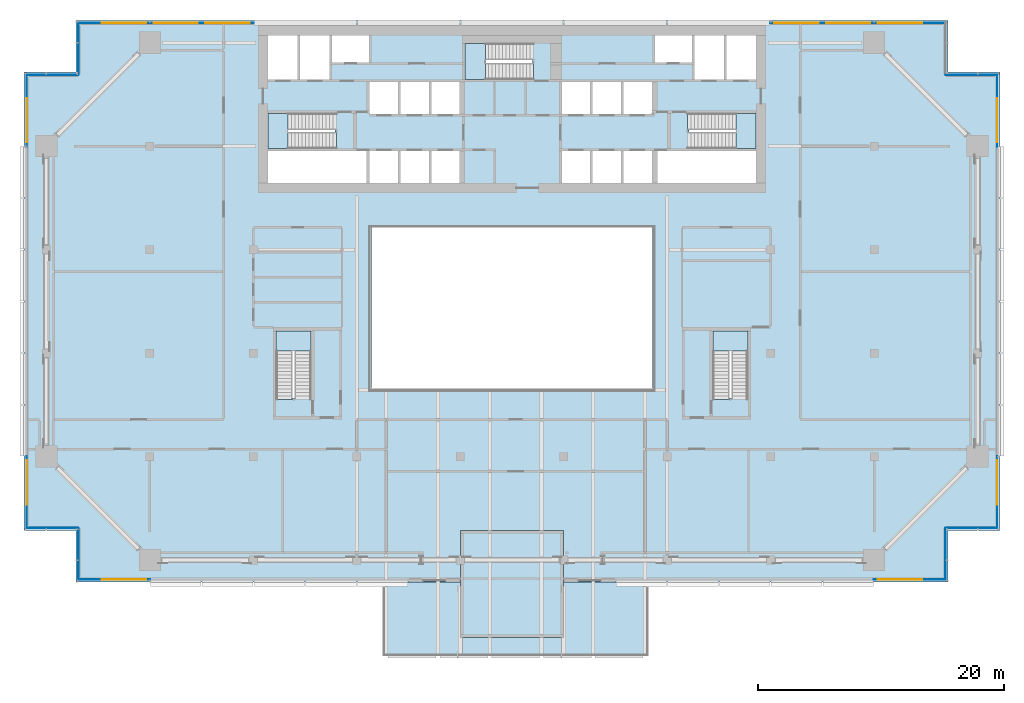
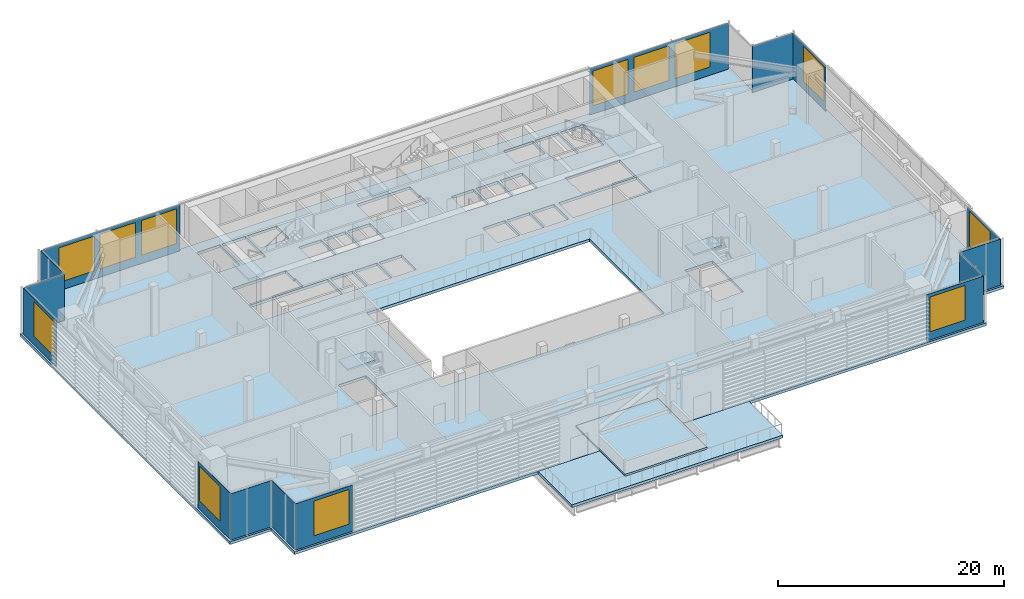
# One storey, part 11 of 29: 15 plates, 12 windows, 8 slabs, 12 openings, 16 elements without a shape of their own.
"""IFC4 building model written with IfcOpenShell, lengths in metres."""

from ifc_helpers import new_model, si_unit, direction, frame, frame_2d, origin, place, context, subcontext, project, spatial, polyline, rectangle, outline, extrude, material, layer, layer_set, type_object, element, fill, aggregate, save


model = new_model("IFC4")

# Units and contexts
model_context = context("Model", 3, precision=1e-05, world=origin(), true_north=direction((0.0, 1.0)))
body_context = subcontext(model_context, "Body", "Model", "MODEL_VIEW")
ifc_project = project(units=[si_unit("LENGTHUNIT", "METRE"), si_unit("AREAUNIT", "SQUARE_METRE"), si_unit("VOLUMEUNIT", "CUBIC_METRE"), si_unit("PLANEANGLEUNIT", "RADIAN"), si_unit("MASSUNIT", "GRAM", prefix="KILO")], contexts=[model_context])

# Site, building, storey
site_placement = place(None, origin())
site = spatial("IfcSite", under=ifc_project, at=site_placement, CompositionType="ELEMENT")
building_placement = place(site_placement, origin())
building = spatial("IfcBuilding", under=site, at=building_placement, Name="Saffron Gate Tower", CompositionType="ELEMENT")
storey_placement = place(building_placement, frame((0.0, 0.0, 142.050048828125)))
storey = spatial("IfcBuildingStorey", under=building, at=storey_placement, Name="L34", CompositionType="ELEMENT", Elevation=142.050048828125)

# Curtain wall, plates, openings, windows
ifc_material_1 = material(Name="Aluminium, bronze anodised", Category="aluminium")
curtain_wall_type = type_object("IfcCurtainWallType", Name="CWS6 curtain wall tall storeys", PredefinedType="NOTDEFINED", material=ifc_material_1)
curtain_wall_1_placement = place(storey_placement, origin())
curtain_wall_1 = element("IfcCurtainWall", 1, at=curtain_wall_1_placement, inside=storey, type_object=curtain_wall_type, Name="CWS6 run 1", PredefinedType="NOTDEFINED")
ifc_material_2 = material(Name="Fritted bronze-tinted laminated glass", Category="glass")
ifc_layer_1 = layer(ifc_material_2, 0.028076171875)
ifc_layer_set_1 = layer_set([ifc_layer_1], Name="CWS6 fixed glass")
plate_type = type_object("IfcPlateType", Name="CWS6 fixed glass", PredefinedType="CURTAIN_PANEL", material=ifc_layer_set_1)
plate_1_placement = place(storey_placement, frame((52.427978515625, 30.214111328125, 0.0), z_axis=(0.0, 0.0, 1.0), x_axis=(1.0, 0.0, 0.0)))
plate_1 = element("IfcPlate", 2, at=plate_1_placement, type_object=plate_type, Name="CWS6 glass panel", PredefinedType="CURTAIN_PANEL", context=body_context, shape_type="SweptSolid", body=[
    extrude(rectangle(XDim=5.81201171875, YDim=0.028076171875, at=frame_2d((2.906005859375, 0.0))), origin(), (0.0, 0.0, 1.0), 5.0),
])
opening_1_placement = place(plate_1_placement, frame((1.8720703125, 0.0, 0.89990234375)))
opening_1 = element("IfcOpeningElement", 3, at=opening_1_placement, cuts=plate_1, Name="Opening W7", PredefinedType="OPENING", context=body_context, shape_type="SweptSolid", body=[
    extrude(rectangle(XDim=3.60009765625, YDim=3.75, at=frame_2d((1.800048828125, 1.875))), frame((0.0, 0.02392578125, 0.0), z_axis=(0.0, -1.0, 0.0), x_axis=(1.0, 0.0, 0.0)), (0.0, 0.0, 1.0), 0.048095703125),
])
ifc_material_3 = material(Name="Fritted bronze-tinted laminated glass in bronze frame", Category="glass")
ifc_layer_2 = layer(ifc_material_3, 0.06005859375)
ifc_layer_set_2 = layer_set([ifc_layer_2], Name="W7 operable panel 3600x3750")
window_type = type_object("IfcWindowType", Name="W7 operable panel 3600x3750", PartitioningType="DOUBLE_PANEL_HORIZONTAL", PredefinedType="WINDOW", material=ifc_layer_set_2)
window_1_placement = place(opening_1_placement, origin())
window_1 = element("IfcWindow", 4, at=window_1_placement, type_object=window_type, Name="W7 operable panel", OverallHeight=3.75, OverallWidth=3.60009765625, PartitioningType="SINGLE_PANEL", PredefinedType="WINDOW", context=body_context, shape_type="SweptSolid", body=[
    extrude(rectangle(XDim=3.60009765625, YDim=3.75, at=frame_2d((1.800048828125, 1.875))), frame((0.0, 0.013671875, 0.0), z_axis=(0.0, -1.0, 0.0), x_axis=(1.0, 0.0, 0.0)), (0.0, 0.0, 1.0), 0.027587890625),
])
fill(opening_1, window_1)
plate_2_placement = place(storey_placement, frame((116.9599609375, 30.214111328125, 0.0), z_axis=(0.0, 0.0, 1.0), x_axis=(1.0, 0.0, 0.0)))
plate_2 = element("IfcPlate", 5, at=plate_2_placement, type_object=plate_type, Name="CWS6 glass panel", PredefinedType="CURTAIN_PANEL", context=body_context, shape_type="SweptSolid", body=[
    extrude(rectangle(XDim=5.81201171875, YDim=0.028076171875, at=frame_2d((2.906005859375, 0.0))), origin(), (0.0, 0.0, 1.0), 5.0),
])
opening_2_placement = place(plate_2_placement, frame((0.340087890625, 0.0, 0.89990234375)))
opening_2 = element("IfcOpeningElement", 6, at=opening_2_placement, cuts=plate_2, Name="Opening W7", PredefinedType="OPENING", context=body_context, shape_type="SweptSolid", body=[
    extrude(rectangle(XDim=3.60009765625, YDim=3.75, at=frame_2d((1.800048828125, 1.875))), frame((0.0, 0.02392578125, 0.0), z_axis=(0.0, -1.0, 0.0), x_axis=(1.0, 0.0, 0.0)), (0.0, 0.0, 1.0), 0.048095703125),
])
window_2_placement = place(opening_2_placement, origin())
window_2 = element("IfcWindow", 7, at=window_2_placement, type_object=window_type, Name="W7 operable panel", OverallHeight=3.75, OverallWidth=3.60009765625, PartitioningType="SINGLE_PANEL", PredefinedType="WINDOW", context=body_context, shape_type="SweptSolid", body=[
    extrude(rectangle(XDim=3.60009765625, YDim=3.75, at=frame_2d((1.800048828125, 1.875))), frame((0.0, 0.013671875, 0.0), z_axis=(0.0, -1.0, 0.0), x_axis=(1.0, 0.0, 0.0)), (0.0, 0.0, 1.0), 0.027587890625),
])
fill(opening_2, window_2)
aggregate(curtain_wall_1, [plate_1, plate_2, window_1, window_2])

# Curtain wall, plate
curtain_wall_2_placement = place(storey_placement, origin())
curtain_wall_2 = element("IfcCurtainWall", 8, at=curtain_wall_2_placement, inside=storey, type_object=curtain_wall_type, Name="CWS6 run 2", PredefinedType="NOTDEFINED")
plate_3_placement = place(storey_placement, frame((122.785888671875, 30.22802734375, 0.0), z_axis=(0.0, 0.0, 1.0), x_axis=(0.0, 1.0, 0.0)))
plate_3 = element("IfcPlate", 9, at=plate_3_placement, type_object=plate_type, Name="CWS6 glass panel", PredefinedType="CURTAIN_PANEL", context=body_context, shape_type="SweptSolid", body=[
    extrude(rectangle(XDim=4.171875, YDim=0.028076171875, at=frame_2d((2.0859375, 0.0))), origin(), (0.0, 0.0, 1.0), 5.0),
])
aggregate(curtain_wall_2, [plate_3])

curtain_wall_3_placement = place(storey_placement, origin())
curtain_wall_3 = element("IfcCurtainWall", 10, at=curtain_wall_3_placement, inside=storey, type_object=curtain_wall_type, Name="CWS6 run 3", PredefinedType="NOTDEFINED")
plate_4_placement = place(storey_placement, frame((122.800048828125, 34.4140625, 0.0), z_axis=(0.0, 0.0, 1.0), x_axis=(1.0, 0.0, 0.0)))
plate_4 = element("IfcPlate", 11, at=plate_4_placement, type_object=plate_type, Name="CWS6 glass panel", PredefinedType="CURTAIN_PANEL", context=body_context, shape_type="SweptSolid", body=[
    extrude(rectangle(XDim=4.171875, YDim=0.028076171875, at=frame_2d((2.0859375, 0.0))), origin(), (0.0, 0.0, 1.0), 5.0),
])
aggregate(curtain_wall_3, [plate_4])

# Curtain wall, plates, openings, windows
curtain_wall_4_placement = place(storey_placement, origin())
curtain_wall_4 = element("IfcCurtainWall", 12, at=curtain_wall_4_placement, inside=storey, type_object=curtain_wall_type, Name="CWS6 run 4", PredefinedType="NOTDEFINED")
plate_5_placement = place(storey_placement, frame((126.986083984375, 34.427978515625, 0.0), z_axis=(0.0, 0.0, 1.0), x_axis=(0.0, 1.0, 0.0)))
plate_5 = element("IfcPlate", 13, at=plate_5_placement, type_object=plate_type, Name="CWS6 glass panel", PredefinedType="CURTAIN_PANEL", context=body_context, shape_type="SweptSolid", body=[
    extrude(rectangle(XDim=5.81201171875, YDim=0.028076171875, at=frame_2d((2.906005859375, 0.0))), origin(), (0.0, 0.0, 1.0), 5.0),
])
opening_3_placement = place(plate_5_placement, frame((1.8720703125, 0.0, 0.89990234375)))
opening_3 = element("IfcOpeningElement", 14, at=opening_3_placement, cuts=plate_5, Name="Opening W7", PredefinedType="OPENING", context=body_context, shape_type="SweptSolid", body=[
    extrude(rectangle(XDim=3.60009765625, YDim=3.75, at=frame_2d((1.800048828125, 1.875))), frame((0.0, 0.02392578125, 0.0), z_axis=(0.0, -1.0, 0.0), x_axis=(1.0, 0.0, 0.0)), (0.0, 0.0, 1.0), 0.048095703125),
])
window_3_placement = place(opening_3_placement, origin())
window_3 = element("IfcWindow", 15, at=window_3_placement, type_object=window_type, Name="W7 operable panel", OverallHeight=3.75, OverallWidth=3.60009765625, PartitioningType="SINGLE_PANEL", PredefinedType="WINDOW", context=body_context, shape_type="SweptSolid", body=[
    extrude(rectangle(XDim=3.60009765625, YDim=3.75, at=frame_2d((1.800048828125, 1.875))), frame((0.0, 0.013671875, 0.0), z_axis=(0.0, -1.0, 0.0), x_axis=(1.0, 0.0, 0.0)), (0.0, 0.0, 1.0), 0.027587890625),
])
fill(opening_3, window_3)
plate_6_placement = place(storey_placement, frame((126.986083984375, 65.360107421875, 0.0), z_axis=(0.0, 0.0, 1.0), x_axis=(0.0, 1.0, 0.0)))
plate_6 = element("IfcPlate", 16, at=plate_6_placement, type_object=plate_type, Name="CWS6 glass panel", PredefinedType="CURTAIN_PANEL", context=body_context, shape_type="SweptSolid", body=[
    extrude(rectangle(XDim=5.81201171875, YDim=0.028076171875, at=frame_2d((2.906005859375, 0.0))), origin(), (0.0, 0.0, 1.0), 5.0),
])
opening_4_placement = place(plate_6_placement, frame((0.340087890625, 0.0, 0.89990234375)))
opening_4 = element("IfcOpeningElement", 17, at=opening_4_placement, cuts=plate_6, Name="Opening W7", PredefinedType="OPENING", context=body_context, shape_type="SweptSolid", body=[
    extrude(rectangle(XDim=3.60009765625, YDim=3.75, at=frame_2d((1.800048828125, 1.875))), frame((0.0, 0.02392578125, 0.0), z_axis=(0.0, -1.0, 0.0), x_axis=(1.0, 0.0, 0.0)), (0.0, 0.0, 1.0), 0.048095703125),
])
window_4_placement = place(opening_4_placement, origin())
window_4 = element("IfcWindow", 18, at=window_4_placement, type_object=window_type, Name="W7 operable panel", OverallHeight=3.75, OverallWidth=3.60009765625, PartitioningType="SINGLE_PANEL", PredefinedType="WINDOW", context=body_context, shape_type="SweptSolid", body=[
    extrude(rectangle(XDim=3.60009765625, YDim=3.75, at=frame_2d((1.800048828125, 1.875))), frame((0.0, 0.013671875, 0.0), z_axis=(0.0, -1.0, 0.0), x_axis=(1.0, 0.0, 0.0)), (0.0, 0.0, 1.0), 0.027587890625),
])
fill(opening_4, window_4)
aggregate(curtain_wall_4, [plate_5, plate_6, window_3, window_4])

# Curtain wall, plate
curtain_wall_5_placement = place(storey_placement, origin())
curtain_wall_5 = element("IfcCurtainWall", 19, at=curtain_wall_5_placement, inside=storey, type_object=curtain_wall_type, Name="CWS6 run 5", PredefinedType="NOTDEFINED")
plate_7_placement = place(storey_placement, frame((126.971923828125, 71.18603515625, 0.0), z_axis=(0.0, 0.0, 1.0), x_axis=(-1.0, 0.0, 0.0)))
plate_7 = element("IfcPlate", 20, at=plate_7_placement, type_object=plate_type, Name="CWS6 glass panel", PredefinedType="CURTAIN_PANEL", context=body_context, shape_type="SweptSolid", body=[
    extrude(rectangle(XDim=4.171875, YDim=0.028076171875, at=frame_2d((2.0859375, 0.0))), origin(), (0.0, 0.0, 1.0), 5.0),
])
aggregate(curtain_wall_5, [plate_7])

# Curtain wall, plates, openings, windows
curtain_wall_6_placement = place(storey_placement, origin())
curtain_wall_6 = element("IfcCurtainWall", 21, at=curtain_wall_6_placement, inside=storey, type_object=curtain_wall_type, Name="CWS6 run 7", PredefinedType="NOTDEFINED")
plate_8_placement = place(storey_placement, frame((122.77197265625, 75.385986328125, 0.0), z_axis=(0.0, 0.0, 1.0), x_axis=(-1.0, 0.0, 0.0)))
plate_8 = element("IfcPlate", 22, at=plate_8_placement, type_object=plate_type, Name="CWS6 glass panel", PredefinedType="CURTAIN_PANEL", context=body_context, shape_type="SweptSolid", body=[
    extrude(rectangle(XDim=14.2119140625, YDim=0.028076171875, at=frame_2d((7.10595703125, 0.0))), origin(), (0.0, 0.0, 1.0), 5.0),
])
opening_5_placement = place(plate_8_placement, frame((1.8720703125, 0.0, 0.89990234375)))
opening_5 = element("IfcOpeningElement", 23, at=opening_5_placement, cuts=plate_8, Name="Opening W7", PredefinedType="OPENING", context=body_context, shape_type="SweptSolid", body=[
    extrude(rectangle(XDim=3.60009765625, YDim=3.75, at=frame_2d((1.800048828125, 1.875))), frame((0.0, 0.02392578125, 0.0), z_axis=(0.0, -1.0, 0.0), x_axis=(1.0, 0.0, 0.0)), (0.0, 0.0, 1.0), 0.048095703125),
])
opening_6_placement = place(plate_8_placement, frame((6.072021484375, 0.0, 0.89990234375)))
opening_6 = element("IfcOpeningElement", 24, at=opening_6_placement, cuts=plate_8, Name="Opening W7", PredefinedType="OPENING", context=body_context, shape_type="SweptSolid", body=[
    extrude(rectangle(XDim=3.60009765625, YDim=3.75, at=frame_2d((1.800048828125, 1.875))), frame((0.0, 0.02392578125, 0.0), z_axis=(0.0, -1.0, 0.0), x_axis=(1.0, 0.0, 0.0)), (0.0, 0.0, 1.0), 0.048095703125),
])
opening_7_placement = place(plate_8_placement, frame((10.27197265625, 0.0, 0.89990234375)))
opening_7 = element("IfcOpeningElement", 25, at=opening_7_placement, cuts=plate_8, Name="Opening W7", PredefinedType="OPENING", context=body_context, shape_type="SweptSolid", body=[
    extrude(rectangle(XDim=3.60009765625, YDim=3.75, at=frame_2d((1.800048828125, 1.875))), frame((0.0, 0.02392578125, 0.0), z_axis=(0.0, -1.0, 0.0), x_axis=(1.0, 0.0, 0.0)), (0.0, 0.0, 1.0), 0.048095703125),
])
window_5_placement = place(opening_5_placement, origin())
window_5 = element("IfcWindow", 26, at=window_5_placement, type_object=window_type, Name="W7 operable panel", OverallHeight=3.75, OverallWidth=3.60009765625, PartitioningType="SINGLE_PANEL", PredefinedType="WINDOW", context=body_context, shape_type="SweptSolid", body=[
    extrude(rectangle(XDim=3.60009765625, YDim=3.75, at=frame_2d((1.800048828125, 1.875))), frame((0.0, 0.013671875, 0.0), z_axis=(0.0, -1.0, 0.0), x_axis=(1.0, 0.0, 0.0)), (0.0, 0.0, 1.0), 0.027587890625),
])
fill(opening_5, window_5)
window_6_placement = place(opening_6_placement, origin())
window_6 = element("IfcWindow", 27, at=window_6_placement, type_object=window_type, Name="W7 operable panel", OverallHeight=3.75, OverallWidth=3.60009765625, PartitioningType="SINGLE_PANEL", PredefinedType="WINDOW", context=body_context, shape_type="SweptSolid", body=[
    extrude(rectangle(XDim=3.60009765625, YDim=3.75, at=frame_2d((1.800048828125, 1.875))), frame((0.0, 0.013671875, 0.0), z_axis=(0.0, -1.0, 0.0), x_axis=(1.0, 0.0, 0.0)), (0.0, 0.0, 1.0), 0.027587890625),
])
fill(opening_6, window_6)
window_7_placement = place(opening_7_placement, origin())
window_7 = element("IfcWindow", 28, at=window_7_placement, type_object=window_type, Name="W7 operable panel", OverallHeight=3.75, OverallWidth=3.60009765625, PartitioningType="SINGLE_PANEL", PredefinedType="WINDOW", context=body_context, shape_type="SweptSolid", body=[
    extrude(rectangle(XDim=3.60009765625, YDim=3.75, at=frame_2d((1.800048828125, 1.875))), frame((0.0, 0.013671875, 0.0), z_axis=(0.0, -1.0, 0.0), x_axis=(1.0, 0.0, 0.0)), (0.0, 0.0, 1.0), 0.027587890625),
])
fill(opening_7, window_7)
plate_9_placement = place(storey_placement, frame((66.639892578125, 75.385986328125, 0.0), z_axis=(0.0, 0.0, 1.0), x_axis=(-1.0, 0.0, 0.0)))
plate_9 = element("IfcPlate", 29, at=plate_9_placement, type_object=plate_type, Name="CWS6 glass panel", PredefinedType="CURTAIN_PANEL", context=body_context, shape_type="SweptSolid", body=[
    extrude(rectangle(XDim=14.2119140625, YDim=0.028076171875, at=frame_2d((7.10595703125, 0.0))), origin(), (0.0, 0.0, 1.0), 5.0),
])
opening_8_placement = place(plate_9_placement, frame((0.340087890625, 0.0, 0.89990234375)))
opening_8 = element("IfcOpeningElement", 30, at=opening_8_placement, cuts=plate_9, Name="Opening W7", PredefinedType="OPENING", context=body_context, shape_type="SweptSolid", body=[
    extrude(rectangle(XDim=3.60009765625, YDim=3.75, at=frame_2d((1.800048828125, 1.875))), frame((0.0, 0.02392578125, 0.0), z_axis=(0.0, -1.0, 0.0), x_axis=(1.0, 0.0, 0.0)), (0.0, 0.0, 1.0), 0.048095703125),
])
opening_9_placement = place(plate_9_placement, frame((4.5400390625, 0.0, 0.89990234375)))
opening_9 = element("IfcOpeningElement", 31, at=opening_9_placement, cuts=plate_9, Name="Opening W7", PredefinedType="OPENING", context=body_context, shape_type="SweptSolid", body=[
    extrude(rectangle(XDim=3.60009765625, YDim=3.75, at=frame_2d((1.800048828125, 1.875))), frame((0.0, 0.02392578125, 0.0), z_axis=(0.0, -1.0, 0.0), x_axis=(1.0, 0.0, 0.0)), (0.0, 0.0, 1.0), 0.048095703125),
])
opening_10_placement = place(plate_9_placement, frame((8.739990234375, 0.0, 0.89990234375)))
opening_10 = element("IfcOpeningElement", 32, at=opening_10_placement, cuts=plate_9, Name="Opening W7", PredefinedType="OPENING", context=body_context, shape_type="SweptSolid", body=[
    extrude(rectangle(XDim=3.60009765625, YDim=3.75, at=frame_2d((1.800048828125, 1.875))), frame((0.0, 0.02392578125, 0.0), z_axis=(0.0, -1.0, 0.0), x_axis=(1.0, 0.0, 0.0)), (0.0, 0.0, 1.0), 0.048095703125),
])
window_8_placement = place(opening_8_placement, origin())
window_8 = element("IfcWindow", 33, at=window_8_placement, type_object=window_type, Name="W7 operable panel", OverallHeight=3.75, OverallWidth=3.60009765625, PartitioningType="SINGLE_PANEL", PredefinedType="WINDOW", context=body_context, shape_type="SweptSolid", body=[
    extrude(rectangle(XDim=3.60009765625, YDim=3.75, at=frame_2d((1.800048828125, 1.875))), frame((0.0, 0.013671875, 0.0), z_axis=(0.0, -1.0, 0.0), x_axis=(1.0, 0.0, 0.0)), (0.0, 0.0, 1.0), 0.027587890625),
])
fill(opening_8, window_8)
window_9_placement = place(opening_9_placement, origin())
window_9 = element("IfcWindow", 34, at=window_9_placement, type_object=window_type, Name="W7 operable panel", OverallHeight=3.75, OverallWidth=3.60009765625, PartitioningType="SINGLE_PANEL", PredefinedType="WINDOW", context=body_context, shape_type="SweptSolid", body=[
    extrude(rectangle(XDim=3.60009765625, YDim=3.75, at=frame_2d((1.800048828125, 1.875))), frame((0.0, 0.013671875, 0.0), z_axis=(0.0, -1.0, 0.0), x_axis=(1.0, 0.0, 0.0)), (0.0, 0.0, 1.0), 0.027587890625),
])
fill(opening_9, window_9)
window_10_placement = place(opening_10_placement, origin())
window_10 = element("IfcWindow", 35, at=window_10_placement, type_object=window_type, Name="W7 operable panel", OverallHeight=3.75, OverallWidth=3.60009765625, PartitioningType="SINGLE_PANEL", PredefinedType="WINDOW", context=body_context, shape_type="SweptSolid", body=[
    extrude(rectangle(XDim=3.60009765625, YDim=3.75, at=frame_2d((1.800048828125, 1.875))), frame((0.0, 0.013671875, 0.0), z_axis=(0.0, -1.0, 0.0), x_axis=(1.0, 0.0, 0.0)), (0.0, 0.0, 1.0), 0.027587890625),
])
fill(opening_10, window_10)
aggregate(curtain_wall_6, [plate_8, plate_9, window_5, window_6, window_7, window_8, window_9, window_10])

# Curtain wall, plate
curtain_wall_7_placement = place(storey_placement, origin())
curtain_wall_7 = element("IfcCurtainWall", 36, at=curtain_wall_7_placement, inside=storey, type_object=curtain_wall_type, Name="CWS6 run 8", PredefinedType="NOTDEFINED")
plate_10_placement = place(storey_placement, frame((52.4140625, 75.3720703125, 0.0), z_axis=(0.0, 0.0, 1.0), x_axis=(0.0, -1.0, 0.0)))
plate_10 = element("IfcPlate", 37, at=plate_10_placement, type_object=plate_type, Name="CWS6 glass panel", PredefinedType="CURTAIN_PANEL", context=body_context, shape_type="SweptSolid", body=[
    extrude(rectangle(XDim=4.172119140625, YDim=0.028076171875, at=frame_2d((2.0859375, 0.0))), origin(), (0.0, 0.0, 1.0), 5.0),
])
aggregate(curtain_wall_7, [plate_10])

curtain_wall_8_placement = place(storey_placement, origin())
curtain_wall_8 = element("IfcCurtainWall", 38, at=curtain_wall_8_placement, inside=storey, type_object=curtain_wall_type, Name="CWS6 run 9", PredefinedType="NOTDEFINED")
plate_11_placement = place(storey_placement, frame((52.39990234375, 71.18603515625, 0.0), z_axis=(0.0, 0.0, 1.0), x_axis=(-1.0, 0.0, 0.0)))
plate_11 = element("IfcPlate", 39, at=plate_11_placement, type_object=plate_type, Name="CWS6 glass panel", PredefinedType="CURTAIN_PANEL", context=body_context, shape_type="SweptSolid", body=[
    extrude(rectangle(XDim=4.171875, YDim=0.028076171875, at=frame_2d((2.0859375, 0.0))), origin(), (0.0, 0.0, 1.0), 5.0),
])
aggregate(curtain_wall_8, [plate_11])

# Curtain wall, plates, openings, windows
curtain_wall_9_placement = place(storey_placement, origin())
curtain_wall_9 = element("IfcCurtainWall", 40, at=curtain_wall_9_placement, inside=storey, type_object=curtain_wall_type, Name="CWS6 run 10", PredefinedType="NOTDEFINED")
plate_12_placement = place(storey_placement, frame((48.214111328125, 71.172119140625, 0.0), z_axis=(0.0, 0.0, 1.0), x_axis=(0.0, -1.0, 0.0)))
plate_12 = element("IfcPlate", 41, at=plate_12_placement, type_object=plate_type, Name="CWS6 glass panel", PredefinedType="CURTAIN_PANEL", context=body_context, shape_type="SweptSolid", body=[
    extrude(rectangle(XDim=5.81201171875, YDim=0.028076171875, at=frame_2d((2.906005859375, 0.0))), origin(), (0.0, 0.0, 1.0), 5.0),
])
opening_11_placement = place(plate_12_placement, frame((1.8720703125, 0.0, 0.89990234375)))
opening_11 = element("IfcOpeningElement", 42, at=opening_11_placement, cuts=plate_12, Name="Opening W7", PredefinedType="OPENING", context=body_context, shape_type="SweptSolid", body=[
    extrude(rectangle(XDim=3.60009765625, YDim=3.75, at=frame_2d((1.800048828125, 1.875))), frame((0.0, 0.02392578125, 0.0), z_axis=(0.0, -1.0, 0.0), x_axis=(1.0, 0.0, 0.0)), (0.0, 0.0, 1.0), 0.048095703125),
])
window_11_placement = place(opening_11_placement, origin())
window_11 = element("IfcWindow", 43, at=window_11_placement, type_object=window_type, Name="W7 operable panel", OverallHeight=3.75, OverallWidth=3.60009765625, PartitioningType="SINGLE_PANEL", PredefinedType="WINDOW", context=body_context, shape_type="SweptSolid", body=[
    extrude(rectangle(XDim=3.60009765625, YDim=3.75, at=frame_2d((1.800048828125, 1.875))), frame((0.0, 0.013671875, 0.0), z_axis=(0.0, -1.0, 0.0), x_axis=(1.0, 0.0, 0.0)), (0.0, 0.0, 1.0), 0.027587890625),
])
fill(opening_11, window_11)
plate_13_placement = place(storey_placement, frame((48.214111328125, 40.239990234375, 0.0), z_axis=(0.0, 0.0, 1.0), x_axis=(0.0, -1.0, 0.0)))
plate_13 = element("IfcPlate", 44, at=plate_13_placement, type_object=plate_type, Name="CWS6 glass panel", PredefinedType="CURTAIN_PANEL", context=body_context, shape_type="SweptSolid", body=[
    extrude(rectangle(XDim=5.81201171875, YDim=0.028076171875, at=frame_2d((2.906005859375, 0.0))), origin(), (0.0, 0.0, 1.0), 5.0),
])
opening_12_placement = place(plate_13_placement, frame((0.340087890625, 0.0, 0.89990234375)))
opening_12 = element("IfcOpeningElement", 45, at=opening_12_placement, cuts=plate_13, Name="Opening W7", PredefinedType="OPENING", context=body_context, shape_type="SweptSolid", body=[
    extrude(rectangle(XDim=3.60009765625, YDim=3.75, at=frame_2d((1.800048828125, 1.875))), frame((0.0, 0.02392578125, 0.0), z_axis=(0.0, -1.0, 0.0), x_axis=(1.0, 0.0, 0.0)), (0.0, 0.0, 1.0), 0.048095703125),
])
window_12_placement = place(opening_12_placement, origin())
window_12 = element("IfcWindow", 46, at=window_12_placement, type_object=window_type, Name="W7 operable panel", OverallHeight=3.75, OverallWidth=3.60009765625, PartitioningType="SINGLE_PANEL", PredefinedType="WINDOW", context=body_context, shape_type="SweptSolid", body=[
    extrude(rectangle(XDim=3.60009765625, YDim=3.75, at=frame_2d((1.800048828125, 1.875))), frame((0.0, 0.013671875, 0.0), z_axis=(0.0, -1.0, 0.0), x_axis=(1.0, 0.0, 0.0)), (0.0, 0.0, 1.0), 0.027587890625),
])
fill(opening_12, window_12)
aggregate(curtain_wall_9, [plate_12, plate_13, window_11, window_12])

# Curtain wall, plate
curtain_wall_10_placement = place(storey_placement, origin())
curtain_wall_10 = element("IfcCurtainWall", 47, at=curtain_wall_10_placement, inside=storey, type_object=curtain_wall_type, Name="CWS6 run 11", PredefinedType="NOTDEFINED")
plate_14_placement = place(storey_placement, frame((48.22802734375, 34.4140625, 0.0), z_axis=(0.0, 0.0, 1.0), x_axis=(1.0, 0.0, 0.0)))
plate_14 = element("IfcPlate", 48, at=plate_14_placement, type_object=plate_type, Name="CWS6 glass panel", PredefinedType="CURTAIN_PANEL", context=body_context, shape_type="SweptSolid", body=[
    extrude(rectangle(XDim=4.171875, YDim=0.028076171875, at=frame_2d((2.0859375, 0.0))), origin(), (0.0, 0.0, 1.0), 5.0),
])
aggregate(curtain_wall_10, [plate_14])

curtain_wall_11_placement = place(storey_placement, origin())
curtain_wall_11 = element("IfcCurtainWall", 49, at=curtain_wall_11_placement, inside=storey, type_object=curtain_wall_type, Name="CWS6 run 12", PredefinedType="NOTDEFINED")
plate_15_placement = place(storey_placement, frame((52.4140625, 34.39990234375, 0.0), z_axis=(0.0, 0.0, 1.0), x_axis=(0.0, -1.0, 0.0)))
plate_15 = element("IfcPlate", 50, at=plate_15_placement, type_object=plate_type, Name="CWS6 glass panel", PredefinedType="CURTAIN_PANEL", context=body_context, shape_type="SweptSolid", body=[
    extrude(rectangle(XDim=4.171875, YDim=0.028076171875, at=frame_2d((2.0859375, 0.0))), origin(), (0.0, 0.0, 1.0), 5.0),
])
aggregate(curtain_wall_11, [plate_15])

# Slabs
ifc_material_4 = material(Name="Reinforced concrete C35/45, tiled", Category="concrete")
ifc_layer_3 = layer(ifc_material_4, 0.199951171875)
ifc_layer_set_3 = layer_set([ifc_layer_3], Name="POOL1 basin slab")
slab_type_1 = type_object("IfcSlabType", Name="POOL1 basin slab", PredefinedType="FLOOR", material=ifc_layer_set_3)
slab_1_placement = place(storey_placement, origin())
element("IfcSlab", 51, at=slab_1_placement, inside=storey, type_object=slab_type_1, Name="SKY POOL basin slab", PredefinedType="FLOOR", context=body_context, shape_type="SweptSolid", body=[
    extrude(outline(polyline([(83.39990234375, 25.5), (91.800048828125, 25.5), (91.800048828125, 34.199951171875), (83.39990234375, 34.199951171875), (83.39990234375, 25.5)])), origin(), (0.0, 0.0, 1.0), 0.199951171875),
])
ifc_material_5 = material(Name="Concrete C40", Category="concrete")
ifc_layer_4 = layer(ifc_material_5, 0.300048828125)
ifc_layer_set_4 = layer_set([ifc_layer_4], Name="S3 FLOOR SLAB 300 CONCRETE C40")
slab_type_2 = type_object("IfcSlabType", Name="S3 FLOOR SLAB 300 CONCRETE C40", PredefinedType="FLOOR", material=ifc_layer_set_4)
slab_2_placement = place(storey_placement, frame((0.0, 0.0, -0.300048828125)))
element("IfcSlab", 52, at=slab_2_placement, inside=storey, type_object=slab_type_2, Name="S3 FLOOR SLAB", PredefinedType="FLOOR", context=body_context, shape_type="SweptSolid", body=[
    extrude(outline(polyline([(48.0, 34.199951171875), (52.199951171875, 34.199951171875), (52.199951171875, 30.0), (123.0, 30.0), (123.0, 34.199951171875), (127.199951171875, 34.199951171875), (127.199951171875, 71.39990234375), (123.0, 71.39990234375), (123.0, 75.60009765625), (52.199951171875, 75.60009765625), (52.199951171875, 71.39990234375), (48.0, 71.39990234375), (48.0, 34.199951171875)]), holes=[polyline([(67.800048828125, 62.39990234375), (67.800048828125, 65.0), (75.800048828125, 65.0), (75.800048828125, 62.39990234375), (67.800048828125, 62.39990234375)]), polyline([(67.800048828125, 65.199951171875), (67.800048828125, 68.050048828125), (73.25, 68.050048828125), (73.25, 66.550048828125), (73.34912109375, 66.550048828125), (73.34912109375, 65.199951171875), (67.800048828125, 65.199951171875)]), polyline([(67.800048828125, 70.800048828125), (67.800048828125, 74.39990234375), (70.199951171875, 74.39990234375), (70.199951171875, 70.800048828125), (67.800048828125, 70.800048828125)]), polyline([(68.449951171875, 44.85107421875), (68.449951171875, 50.39990234375), (71.300048828125, 50.39990234375), (71.300048828125, 44.949951171875), (69.800048828125, 44.949951171875), (69.800048828125, 44.85107421875), (68.449951171875, 44.85107421875)]), polyline([(70.39990234375, 70.800048828125), (70.39990234375, 74.39990234375), (72.800048828125, 74.39990234375), (72.800048828125, 70.800048828125), (70.39990234375, 70.800048828125)]), polyline([(73.0, 72.199951171875), (73.0, 74.39990234375), (76.0, 74.39990234375), (76.0, 72.199951171875), (73.0, 72.199951171875)]), polyline([(76.050048828125, 62.39990234375), (76.050048828125, 65.0), (78.35009765625, 65.0), (78.35009765625, 62.39990234375), (76.050048828125, 62.39990234375)]), polyline([(76.050048828125, 68.0), (76.050048828125, 70.60009765625), (78.35009765625, 70.60009765625), (78.35009765625, 68.0), (76.050048828125, 68.0)]), polyline([(76.199951171875, 45.60009765625), (76.199951171875, 58.800048828125), (99.0, 58.800048828125), (99.0, 45.60009765625), (76.199951171875, 45.60009765625)]), polyline([(78.550048828125, 62.39990234375), (78.550048828125, 65.0), (80.85009765625, 65.0), (80.85009765625, 62.39990234375), (78.550048828125, 62.39990234375)]), polyline([(78.550048828125, 68.0), (78.550048828125, 70.60009765625), (80.85009765625, 70.60009765625), (80.85009765625, 68.0), (78.550048828125, 68.0)]), polyline([(81.050048828125, 62.39990234375), (81.050048828125, 65.0), (83.35009765625, 65.0), (83.35009765625, 62.39990234375), (81.050048828125, 62.39990234375)]), polyline([(81.050048828125, 68.0), (81.050048828125, 70.60009765625), (83.35009765625, 70.60009765625), (83.35009765625, 68.0), (81.050048828125, 68.0)]), polyline([(83.800048828125, 70.800048828125), (83.800048828125, 73.75), (89.25, 73.75), (89.25, 72.14990234375), (89.34912109375, 72.14990234375), (89.34912109375, 70.800048828125), (83.800048828125, 70.800048828125)]), polyline([(91.64990234375, 62.39990234375), (91.64990234375, 65.0), (93.949951171875, 65.0), (93.949951171875, 62.39990234375), (91.64990234375, 62.39990234375)]), polyline([(91.64990234375, 68.0), (91.64990234375, 70.60009765625), (93.949951171875, 70.60009765625), (93.949951171875, 68.0), (91.64990234375, 68.0)]), polyline([(94.14990234375, 62.39990234375), (94.14990234375, 65.0), (96.449951171875, 65.0), (96.449951171875, 62.39990234375), (94.14990234375, 62.39990234375)]), polyline([(94.14990234375, 68.0), (94.14990234375, 70.60009765625), (96.449951171875, 70.60009765625), (96.449951171875, 68.0), (94.14990234375, 68.0)]), polyline([(96.64990234375, 62.39990234375), (96.64990234375, 65.0), (98.949951171875, 65.0), (98.949951171875, 62.39990234375), (96.64990234375, 62.39990234375)]), polyline([(96.64990234375, 68.0), (96.64990234375, 70.60009765625), (98.949951171875, 70.60009765625), (98.949951171875, 68.0), (96.64990234375, 68.0)]), polyline([(99.199951171875, 72.199951171875), (99.199951171875, 74.39990234375), (102.199951171875, 74.39990234375), (102.199951171875, 72.199951171875), (99.199951171875, 72.199951171875)]), polyline([(99.39990234375, 62.39990234375), (99.39990234375, 65.0), (107.39990234375, 65.0), (107.39990234375, 62.39990234375), (99.39990234375, 62.39990234375)]), polyline([(101.85107421875, 66.699951171875), (101.85107421875, 68.050048828125), (107.39990234375, 68.050048828125), (107.39990234375, 65.199951171875), (101.949951171875, 65.199951171875), (101.949951171875, 66.699951171875), (101.85107421875, 66.699951171875)]), polyline([(102.39990234375, 70.800048828125), (102.39990234375, 74.39990234375), (104.800048828125, 74.39990234375), (104.800048828125, 70.800048828125), (102.39990234375, 70.800048828125)]), polyline([(103.89990234375, 44.85107421875), (103.89990234375, 50.39990234375), (106.75, 50.39990234375), (106.75, 44.949951171875), (105.25, 44.949951171875), (105.25, 44.85107421875), (103.89990234375, 44.85107421875)]), polyline([(105.0, 70.800048828125), (105.0, 74.39990234375), (107.39990234375, 74.39990234375), (107.39990234375, 70.800048828125), (105.0, 70.800048828125)])]), origin(), (0.0, 0.0, 1.0), 0.300048828125),
])
slab_3_placement = place(storey_placement, frame((0.0, 0.0, -0.300048828125)))
element("IfcSlab", 53, at=slab_3_placement, inside=storey, type_object=slab_type_2, Name="S3 SKY POOL TERRACE SLAB", PredefinedType="FLOOR", context=body_context, shape_type="SweptSolid", body=[
    extrude(outline(polyline([(77.10009765625, 24.0), (98.699951171875, 24.0), (98.699951171875, 30.0), (77.10009765625, 30.0), (77.10009765625, 24.0)])), origin(), (0.0, 0.0, 1.0), 0.300048828125),
])

# Stair, slab
stair_type = type_object("IfcStairType", Name="ST4 Stair 1350 wide, 30 risers of 180", PredefinedType="HALF_TURN_STAIR", material=ifc_material_5)
stair_1_placement = place(storey_placement, origin())
stair_1 = element("IfcStair", 54, at=stair_1_placement, inside=storey, type_object=stair_type, Name="L34 Exit stair A", PredefinedType="HALF_TURN_STAIR")
ifc_layer_5 = layer(ifc_material_5, 0.199951171875)
ifc_layer_set_5 = layer_set([ifc_layer_5], Name="SL1 Stair landing 200")
slab_type_3 = type_object("IfcSlabType", Name="SL1 Stair landing 200", PredefinedType="LANDING", material=ifc_layer_set_5)
slab_4_placement = place(storey_placement, frame((0.0, 0.0, 2.5)))
slab_4 = element("IfcSlab", 55, at=slab_4_placement, type_object=slab_type_3, Name="ST-A landing 1", PredefinedType="LANDING", context=body_context, shape_type="SweptSolid", body=[
    extrude(outline(polyline([(69.429931640625, 68.050048828125), (67.800048828125, 68.050048828125), (67.800048828125, 65.199951171875), (69.429931640625, 65.199951171875), (69.429931640625, 68.050048828125)])), origin(), (0.0, 0.0, 1.0), 0.199951171875),
])
aggregate(stair_1, [slab_4])

stair_2_placement = place(storey_placement, origin())
stair_2 = element("IfcStair", 56, at=stair_2_placement, inside=storey, type_object=stair_type, Name="L34 Exit stair B", PredefinedType="HALF_TURN_STAIR")
slab_5_placement = place(storey_placement, frame((0.0, 0.0, 2.5)))
slab_5 = element("IfcSlab", 57, at=slab_5_placement, type_object=slab_type_3, Name="ST-B landing 1", PredefinedType="LANDING", context=body_context, shape_type="SweptSolid", body=[
    extrude(outline(polyline([(105.77001953125, 65.199951171875), (107.39990234375, 65.199951171875), (107.39990234375, 68.050048828125), (105.77001953125, 68.050048828125), (105.77001953125, 65.199951171875)])), origin(), (0.0, 0.0, 1.0), 0.199951171875),
])
aggregate(stair_2, [slab_5])

stair_3_placement = place(storey_placement, origin())
stair_3 = element("IfcStair", 58, at=stair_3_placement, inside=storey, type_object=stair_type, Name="L34 Exit stair C", PredefinedType="HALF_TURN_STAIR")
slab_6_placement = place(storey_placement, frame((0.0, 0.0, 2.5)))
slab_6 = element("IfcSlab", 59, at=slab_6_placement, type_object=slab_type_3, Name="ST-C landing 1", PredefinedType="LANDING", context=body_context, shape_type="SweptSolid", body=[
    extrude(outline(polyline([(85.429931640625, 73.75), (83.800048828125, 73.75), (83.800048828125, 70.800048828125), (85.429931640625, 70.800048828125), (85.429931640625, 73.75)])), origin(), (0.0, 0.0, 1.0), 0.199951171875),
])
aggregate(stair_3, [slab_6])

stair_4_placement = place(storey_placement, origin())
stair_4 = element("IfcStair", 60, at=stair_4_placement, inside=storey, type_object=stair_type, Name="L34 Exit stair D", PredefinedType="HALF_TURN_STAIR")
slab_7_placement = place(storey_placement, frame((0.0, 0.0, 2.5)))
slab_7 = element("IfcSlab", 61, at=slab_7_placement, type_object=slab_type_3, Name="ST-D landing 1", PredefinedType="LANDING", context=body_context, shape_type="SweptSolid", body=[
    extrude(outline(polyline([(71.300048828125, 48.77001953125), (71.300048828125, 50.39990234375), (68.449951171875, 50.39990234375), (68.449951171875, 48.77001953125), (71.300048828125, 48.77001953125)])), origin(), (0.0, 0.0, 1.0), 0.199951171875),
])
aggregate(stair_4, [slab_7])

stair_5_placement = place(storey_placement, origin())
stair_5 = element("IfcStair", 62, at=stair_5_placement, inside=storey, type_object=stair_type, Name="L34 Exit stair E", PredefinedType="HALF_TURN_STAIR")
slab_8_placement = place(storey_placement, frame((0.0, 0.0, 2.5)))
slab_8 = element("IfcSlab", 63, at=slab_8_placement, type_object=slab_type_3, Name="ST-E landing 1", PredefinedType="LANDING", context=body_context, shape_type="SweptSolid", body=[
    extrude(outline(polyline([(106.75, 48.77001953125), (106.75, 50.39990234375), (103.89990234375, 50.39990234375), (103.89990234375, 48.77001953125), (106.75, 48.77001953125)])), origin(), (0.0, 0.0, 1.0), 0.199951171875),
])
aggregate(stair_5, [slab_8])

save(model, "model.ifc")
